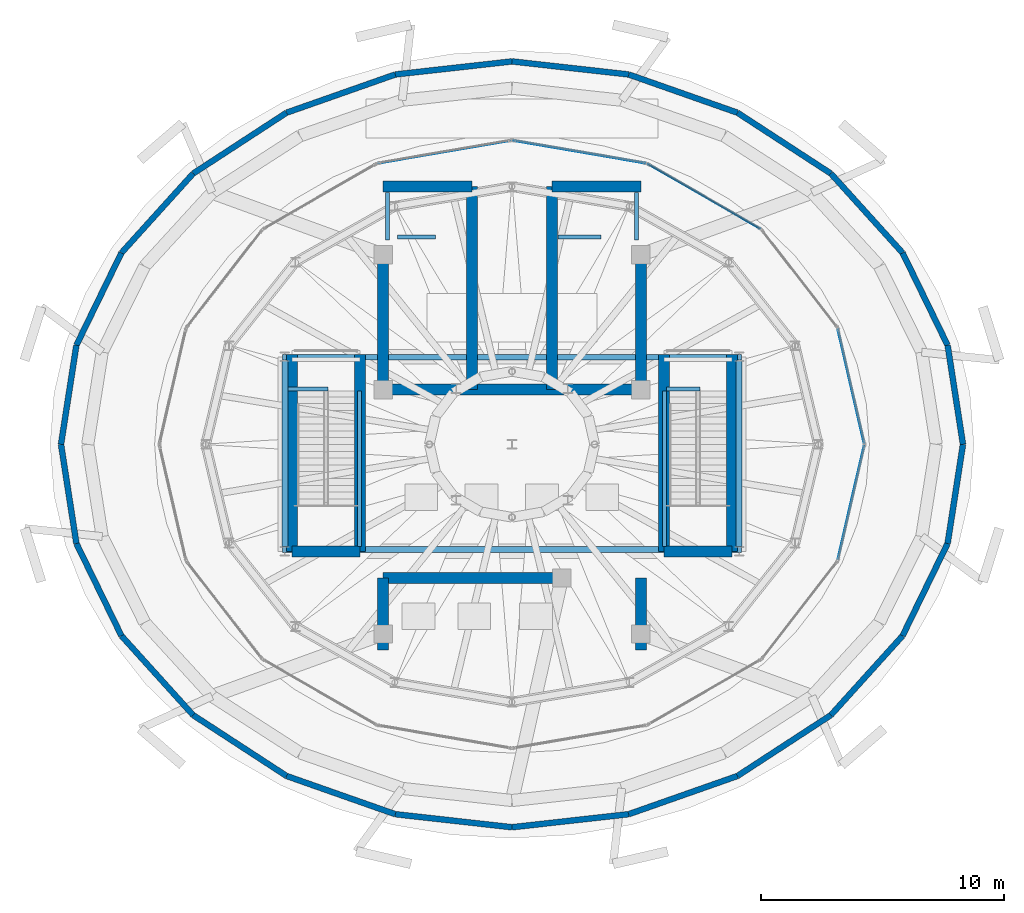
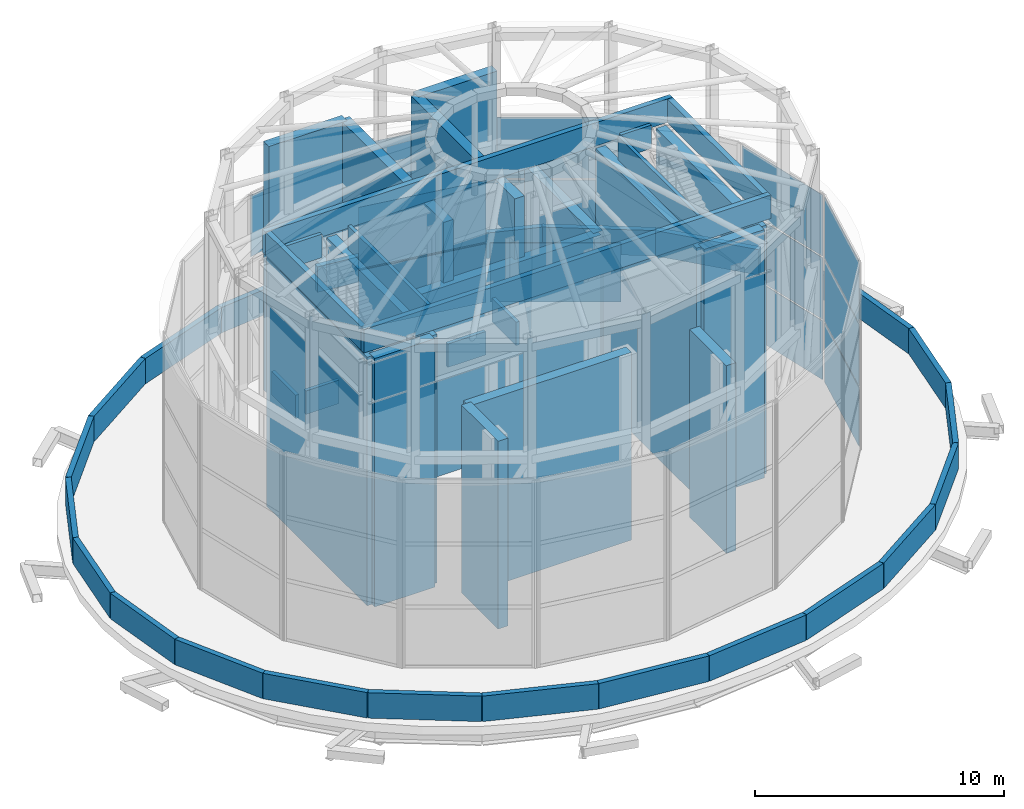
# One storey, part 19 of 22: 52 walls, 13 plates, 5 elements without a shape of their own.
"""IFC4 building model written with IfcOpenShell, lengths in metres."""

from ifc_helpers import new_model, si_unit, direction, frame, frame_2d, origin, origin_2d, place, context, subcontext, project, spatial, rectangle, extrude, material, layer, layer_set, type_object, element, aggregate, save


model = new_model("IFC4")

# Units and contexts
model_context = context("Model", 3, precision=1e-05, world=origin(), true_north=direction((0.0, 1.0)))
body_context = subcontext(model_context, "Body", "Model", "MODEL_VIEW")
ifc_project = project(units=[si_unit("LENGTHUNIT", "METRE"), si_unit("AREAUNIT", "SQUARE_METRE"), si_unit("VOLUMEUNIT", "CUBIC_METRE"), si_unit("PLANEANGLEUNIT", "RADIAN"), si_unit("MASSUNIT", "GRAM", prefix="KILO")], contexts=[model_context])

# Site, building, storey
site_placement = place(None, origin())
site = spatial("IfcSite", under=ifc_project, at=site_placement, CompositionType="ELEMENT")
building_placement = place(site_placement, origin())
building = spatial("IfcBuilding", under=site, at=building_placement, Name="Nuhasar Tower", CompositionType="ELEMENT")
storey_placement = place(building_placement, frame((0.0, 0.0, 313.39990234375)))
storey = spatial("IfcBuildingStorey", under=building, at=storey_placement, Name="Roof Drum", CompositionType="ELEMENT", Elevation=313.39990234375)

# Curtain wall, plates
ifc_material_1 = material(Name="Aluminium 6063-T6", Category="aluminium")
ifc_layer_1 = layer(ifc_material_1, 0.219970703125)
ifc_layer_set_1 = layer_set([ifc_layer_1], Name="Aluminium 6063-T6")
curtain_wall_type = type_object("IfcCurtainWallType", Name="CW-CROWN", PredefinedType="NOTDEFINED", material=ifc_layer_set_1)
curtain_wall_1_placement = place(storey_placement, origin())
curtain_wall_1 = element("IfcCurtainWall", 1, at=curtain_wall_1_placement, inside=storey, type_object=curtain_wall_type, Name="Crown Lantern Curtain Wall 01", PredefinedType="NOTDEFINED")
ifc_material_2 = material(Name="Glass Double Low-E", Category="glass")
ifc_layer_2 = layer(ifc_material_2, 0.028076171875)
ifc_layer_set_2 = layer_set([ifc_layer_2], Name="Glass Double Low-E")
plate_type_1 = type_object("IfcPlateType", Name="CW-PANEL-GLZ", PredefinedType="CURTAIN_PANEL", material=ifc_layer_set_2)
plate_1_placement = place(storey_placement, frame((52.947998046875, 29.19189453125, 3.0400390625), z_axis=(0.0, 0.0, 1.0), x_axis=(-0.2248595067, 0.974391195694, 0.0)))
plate_1 = element("IfcPlate", 2, at=plate_1_placement, type_object=plate_type_1, Name="CW-CR panel 1.2", PredefinedType="CURTAIN_PANEL", context=body_context, shape_type="SweptSolid", body=[
    extrude(rectangle(XDim=4.749755859375, YDim=0.028076171875, at=origin_2d()), origin(), (0.0, 0.0, 1.0), 3.02001953125),
])
plate_2_placement = place(storey_placement, frame((52.947998046875, 29.19189453125, 6.14013671875), z_axis=(0.0, 0.0, 1.0), x_axis=(-0.2248595067, 0.974391195694, 0.0)))
plate_2 = element("IfcPlate", 3, at=plate_2_placement, type_object=plate_type_1, Name="CW-CR panel 1.3", PredefinedType="CURTAIN_PANEL", context=body_context, shape_type="SweptSolid", body=[
    extrude(rectangle(XDim=4.749755859375, YDim=0.028076171875, at=origin_2d()), origin(), (0.0, 0.0, 1.0), 3.0),
])

curtain_wall_2_placement = place(storey_placement, origin())
curtain_wall_2 = element("IfcCurtainWall", 4, at=curtain_wall_2_placement, inside=storey, type_object=curtain_wall_type, Name="Crown Lantern Curtain Wall 03", PredefinedType="NOTDEFINED")
plate_3_placement = place(storey_placement, frame((46.90087890625, 36.993408203125, 3.0400390625), z_axis=(0.0, 0.0, 1.0), x_axis=(-0.866571760085, 0.499052486842, 0.0)))
plate_3 = element("IfcPlate", 5, at=plate_3_placement, type_object=plate_type_1, Name="CW-CR panel 1.2", PredefinedType="CURTAIN_PANEL", context=body_context, shape_type="SweptSolid", body=[
    extrude(rectangle(XDim=5.268310546875, YDim=0.028076171875, at=origin_2d()), origin(), (0.0, 0.0, 1.0), 3.02001953125),
])
plate_4_placement = place(storey_placement, frame((46.90087890625, 36.993408203125, 6.14013671875), z_axis=(0.0, 0.0, 1.0), x_axis=(-0.866571760085, 0.499052486842, 0.0)))
plate_4 = element("IfcPlate", 6, at=plate_4_placement, type_object=plate_type_1, Name="CW-CR panel 1.3", PredefinedType="CURTAIN_PANEL", context=body_context, shape_type="SweptSolid", body=[
    extrude(rectangle(XDim=5.268310546875, YDim=0.028076171875, at=origin_2d()), origin(), (0.0, 0.0, 1.0), 3.0),
])

curtain_wall_3_placement = place(storey_placement, origin())
curtain_wall_3 = element("IfcCurtainWall", 7, at=curtain_wall_3_placement, inside=storey, type_object=curtain_wall_type, Name="Crown Lantern Curtain Wall 04", PredefinedType="NOTDEFINED")
plate_5_placement = place(storey_placement, frame((41.7744140625, 38.823974609375, 3.0400390625), z_axis=(0.0, 0.0, 1.0), x_axis=(-0.985600273164, 0.169091991353, 0.0)))
plate_5 = element("IfcPlate", 8, at=plate_5_placement, type_object=plate_type_1, Name="CW-CR panel 1.2", PredefinedType="CURTAIN_PANEL", context=body_context, shape_type="SweptSolid", body=[
    extrude(rectangle(XDim=5.469970703125, YDim=0.028076171875, at=origin_2d()), origin(), (0.0, 0.0, 1.0), 3.02001953125),
])
plate_6_placement = place(storey_placement, frame((41.7744140625, 38.823974609375, 6.14013671875), z_axis=(0.0, 0.0, 1.0), x_axis=(-0.985600273164, 0.169091991353, 0.0)))
plate_6 = element("IfcPlate", 9, at=plate_6_placement, type_object=plate_type_1, Name="CW-CR panel 1.3", PredefinedType="CURTAIN_PANEL", context=body_context, shape_type="SweptSolid", body=[
    extrude(rectangle(XDim=5.469970703125, YDim=0.028076171875, at=origin_2d()), origin(), (0.0, 0.0, 1.0), 3.0),
])

# Curtain wall, plate
curtain_wall_4_placement = place(storey_placement, origin())
curtain_wall_4 = element("IfcCurtainWall", 10, at=curtain_wall_4_placement, inside=storey, type_object=curtain_wall_type, Name="Crown Lantern Curtain Wall 05", PredefinedType="NOTDEFINED")
plate_7_placement = place(storey_placement, frame((36.2255859375, 38.823974609375, 6.14013671875), z_axis=(0.0, 0.0, 1.0), x_axis=(-0.985600273164, -0.169091991353, 0.0)))
plate_7 = element("IfcPlate", 11, at=plate_7_placement, type_object=plate_type_1, Name="CW-CR panel 1.3", PredefinedType="CURTAIN_PANEL", context=body_context, shape_type="SweptSolid", body=[
    extrude(rectangle(XDim=5.469970703125, YDim=0.028076171875, at=origin_2d()), origin(), (0.0, 0.0, 1.0), 3.0),
])
aggregate(curtain_wall_4, [plate_7])

# Curtain wall, plates
curtain_wall_5_placement = place(storey_placement, origin())
curtain_wall_5 = element("IfcCurtainWall", 12, at=curtain_wall_5_placement, inside=storey, type_object=curtain_wall_type, Name="Crown Lantern Curtain Wall 16", PredefinedType="NOTDEFINED")
plate_8_placement = place(storey_placement, frame((52.947998046875, 24.407958984375, 3.0400390625), z_axis=(0.0, 0.0, 1.0), x_axis=(0.2248595067, 0.974391195694, 0.0)))
plate_8 = element("IfcPlate", 13, at=plate_8_placement, type_object=plate_type_1, Name="CW-CR panel 1.2", PredefinedType="CURTAIN_PANEL", context=body_context, shape_type="SweptSolid", body=[
    extrude(rectangle(XDim=4.749755859375, YDim=0.028076171875, at=origin_2d()), origin(), (0.0, 0.0, 1.0), 3.02001953125),
])
plate_9_placement = place(storey_placement, frame((52.947998046875, 24.407958984375, 6.14013671875), z_axis=(0.0, 0.0, 1.0), x_axis=(0.2248595067, 0.974391195694, 0.0)))
plate_9 = element("IfcPlate", 14, at=plate_9_placement, type_object=plate_type_1, Name="CW-CR panel 1.3", PredefinedType="CURTAIN_PANEL", context=body_context, shape_type="SweptSolid", body=[
    extrude(rectangle(XDim=4.749755859375, YDim=0.028076171875, at=origin_2d()), origin(), (0.0, 0.0, 1.0), 3.0),
])

# Plate
ifc_material_3 = material(Name="Glass Spandrel", Category="glass")
ifc_layer_3 = layer(ifc_material_3, 0.035888671875)
ifc_layer_set_3 = layer_set([ifc_layer_3], Name="Glass Spandrel")
plate_type_2 = type_object("IfcPlateType", Name="CW-PANEL-SPN", PredefinedType="CURTAIN_PANEL", material=ifc_layer_set_3)
plate_10_placement = place(storey_placement, frame((52.947998046875, 29.19189453125, 0.080078125), z_axis=(0.0, 0.0, 1.0), x_axis=(-0.2248595067, 0.974391195694, 0.0)))
plate_10 = element("IfcPlate", 15, at=plate_10_placement, type_object=plate_type_2, Name="CW-CR panel 1.1", PredefinedType="CURTAIN_PANEL", context=body_context, shape_type="SweptSolid", body=[
    extrude(rectangle(XDim=4.749755859375, YDim=0.035888671875, at=origin_2d()), origin(), (0.0, 0.0, 1.0), 2.8798828125),
])

aggregate(curtain_wall_1, [plate_10, plate_1, plate_2])

plate_11_placement = place(storey_placement, frame((46.90087890625, 36.993408203125, 0.080078125), z_axis=(0.0, 0.0, 1.0), x_axis=(-0.866571760085, 0.499052486842, 0.0)))
plate_11 = element("IfcPlate", 16, at=plate_11_placement, type_object=plate_type_2, Name="CW-CR panel 1.1", PredefinedType="CURTAIN_PANEL", context=body_context, shape_type="SweptSolid", body=[
    extrude(rectangle(XDim=5.268310546875, YDim=0.035888671875, at=origin_2d()), origin(), (0.0, 0.0, 1.0), 2.8798828125),
])

aggregate(curtain_wall_2, [plate_11, plate_3, plate_4])

plate_12_placement = place(storey_placement, frame((41.7744140625, 38.823974609375, 0.080078125), z_axis=(0.0, 0.0, 1.0), x_axis=(-0.985600273164, 0.169091991353, 0.0)))
plate_12 = element("IfcPlate", 17, at=plate_12_placement, type_object=plate_type_2, Name="CW-CR panel 1.1", PredefinedType="CURTAIN_PANEL", context=body_context, shape_type="SweptSolid", body=[
    extrude(rectangle(XDim=5.469970703125, YDim=0.035888671875, at=origin_2d()), origin(), (0.0, 0.0, 1.0), 2.8798828125),
])

aggregate(curtain_wall_3, [plate_12, plate_5, plate_6])

plate_13_placement = place(storey_placement, frame((52.947998046875, 24.407958984375, 0.080078125), z_axis=(0.0, 0.0, 1.0), x_axis=(0.2248595067, 0.974391195694, 0.0)))
plate_13 = element("IfcPlate", 18, at=plate_13_placement, type_object=plate_type_2, Name="CW-CR panel 1.1", PredefinedType="CURTAIN_PANEL", context=body_context, shape_type="SweptSolid", body=[
    extrude(rectangle(XDim=4.749755859375, YDim=0.035888671875, at=origin_2d()), origin(), (0.0, 0.0, 1.0), 2.8798828125),
])

aggregate(curtain_wall_5, [plate_13, plate_8, plate_9])

# Walls
ifc_material_4 = material(Name="Concrete C50/60", Category="concrete")
ifc_layer_4 = layer(ifc_material_4, 0.449951171875)
ifc_layer_set_4 = layer_set([ifc_layer_4], Name="Concrete C50/60")
wall_type_1 = type_object("IfcWallType", Name="WL-CORE-450", PredefinedType="SHEAR", material=ifc_layer_set_4)
wall_1_placement = place(storey_placement, frame((33.699951171875, 29.050048828125, 0.0), z_axis=(0.0, 0.0, 1.0), x_axis=(0.0, 1.0, 0.0)))
element("IfcWall", 19, at=wall_1_placement, inside=storey, type_object=wall_type_1, Name="Roof Drum Core Shear Wall CW-NW CW-450", PredefinedType="SHEAR", context=body_context, shape_type="SweptSolid", body=[
    extrude(rectangle(XDim=5.550048828125, YDim=0.449951171875, at=frame_2d((2.77490234375, 0.0))), origin(), (0.0, 0.0, 1.0), 9.22021484375),
])
wall_2_placement = place(storey_placement, frame((33.699951171875, 18.35009765625, 0.0), z_axis=(0.0, 0.0, 1.0), x_axis=(0.0, 1.0, 0.0)))
element("IfcWall", 20, at=wall_2_placement, inside=storey, type_object=wall_type_1, Name="Roof Drum Core Shear Wall CW-SW CW-450", PredefinedType="SHEAR", context=body_context, shape_type="SweptSolid", body=[
    extrude(rectangle(XDim=2.949951171875, YDim=0.449951171875, at=frame_2d((1.47509765625, 0.0))), origin(), (0.0, 0.0, 1.0), 9.22021484375),
])
wall_3_placement = place(storey_placement, frame((44.300048828125, 29.050048828125, 0.0), z_axis=(0.0, 0.0, 1.0), x_axis=(0.0, 1.0, 0.0)))
element("IfcWall", 21, at=wall_3_placement, inside=storey, type_object=wall_type_1, Name="Roof Drum Core Shear Wall CW-NE CW-450", PredefinedType="SHEAR", context=body_context, shape_type="SweptSolid", body=[
    extrude(rectangle(XDim=5.550048828125, YDim=0.449951171875, at=frame_2d((2.77490234375, 0.0))), origin(), (0.0, 0.0, 1.0), 9.22021484375),
])
wall_4_placement = place(storey_placement, frame((44.300048828125, 18.35009765625, 0.0), z_axis=(0.0, 0.0, 1.0), x_axis=(0.0, 1.0, 0.0)))
element("IfcWall", 22, at=wall_4_placement, inside=storey, type_object=wall_type_1, Name="Roof Drum Core Shear Wall CW-SE CW-450", PredefinedType="SHEAR", context=body_context, shape_type="SweptSolid", body=[
    extrude(rectangle(XDim=2.949951171875, YDim=0.449951171875, at=frame_2d((1.47509765625, 0.0))), origin(), (0.0, 0.0, 1.0), 9.22021484375),
])
wall_5_placement = place(storey_placement, frame((33.699951171875, 29.050048828125, 0.0), z_axis=(0.0, 0.0, 1.0), x_axis=(1.0, 0.0, 0.0)))
element("IfcWall", 23, at=wall_5_placement, inside=storey, type_object=wall_type_1, Name="Roof Drum Core Shear Wall CW-N1 CW-450", PredefinedType="SHEAR", context=body_context, shape_type="SweptSolid", body=[
    extrude(rectangle(XDim=10.60009765625, YDim=0.449951171875, at=frame_2d((5.300048828125, 0.0))), origin(), (0.0, 0.0, 1.0), 9.22021484375),
])
wall_6_placement = place(storey_placement, frame((33.699951171875, 21.300048828125, 0.0), z_axis=(0.0, 0.0, 1.0), x_axis=(1.0, 0.0, 0.0)))
element("IfcWall", 24, at=wall_6_placement, inside=storey, type_object=wall_type_1, Name="Roof Drum Core Shear Wall CW-S1 CW-450", PredefinedType="SHEAR", context=body_context, shape_type="SweptSolid", body=[
    extrude(rectangle(XDim=7.550048828125, YDim=0.449951171875, at=frame_2d((3.77490234375, 0.0))), origin(), (0.0, 0.0, 1.0), 9.22021484375),
])
wall_7_placement = place(storey_placement, frame((33.699951171875, 37.39990234375, 0.0), z_axis=(0.0, 0.0, 1.0), x_axis=(1.0, 0.0, 0.0)))
element("IfcWall", 25, at=wall_7_placement, inside=storey, type_object=wall_type_1, Name="Roof Drum Stairwell Shear Wall ST01-N", PredefinedType="SHEAR", context=body_context, shape_type="SweptSolid", body=[
    extrude(rectangle(XDim=3.650146484375, YDim=0.449951171875, at=frame_2d((1.8251953125, 0.0))), origin(), (0.0, 0.0, 1.0), 12.2001953125),
])
for number, where, z_axis, x_axis, name in (
    (26, (37.35009765625, 29.050048828125, 0.0), (0.0, 0.0, 1.0), (0.0, 1.0, 0.0), "Roof Drum Stairwell Shear Wall ST01-E"),
    (27, (40.64990234375, 29.050048828125, 0.0), (0.0, 0.0, 1.0), (0.0, 1.0, 0.0), "Roof Drum Stairwell Shear Wall ST02-W"),
):
    element("IfcWall", number, at=place(storey_placement, frame(where, z_axis=z_axis, x_axis=x_axis)), inside=storey, type_object=wall_type_1, Name=name, PredefinedType="SHEAR", context=body_context, shape_type="SweptSolid", body=[
        extrude(rectangle(XDim=8.349853515625, YDim=0.449951171875, at=frame_2d((4.1748046875, 0.0))), origin(), (0.0, 0.0, 1.0), 12.2001953125),
    ])
wall_8_placement = place(storey_placement, frame((40.64990234375, 37.39990234375, 0.0), z_axis=(0.0, 0.0, 1.0), x_axis=(1.0, 0.0, 0.0)))
element("IfcWall", 28, at=wall_8_placement, inside=storey, type_object=wall_type_1, Name="Roof Drum Stairwell Shear Wall ST02-N", PredefinedType="SHEAR", context=body_context, shape_type="SweptSolid", body=[
    extrude(rectangle(XDim=3.650146484375, YDim=0.449951171875, at=frame_2d((1.8251953125, 0.0))), origin(), (0.0, 0.0, 1.0), 12.2001953125),
])
wall_9_placement = place(storey_placement, frame((29.949951171875, 22.39990234375, 0.0), z_axis=(0.0, 0.0, 1.0), x_axis=(1.0, 0.0, 0.0)))
element("IfcWall", 29, at=wall_9_placement, inside=storey, type_object=wall_type_1, Name="Roof Drum Stairwell Shear Wall ST-CRN-1-S", PredefinedType="SHEAR", context=body_context, shape_type="SweptSolid", body=[
    extrude(rectangle(XDim=2.800048828125, YDim=0.449951171875, at=frame_2d((1.39990234375, 0.0))), origin(), (0.0, 0.0, 1.0), 12.2001953125),
])
for number, where, z_axis, x_axis, name in (
    (30, (29.949951171875, 22.39990234375, 0.0), (0.0, 0.0, 1.0), (0.0, 1.0, 0.0), "Roof Drum Stairwell Shear Wall ST-CRN-1-W"),
    (31, (32.75, 22.39990234375, 0.0), (0.0, 0.0, 1.0), (0.0, 1.0, 0.0), "Roof Drum Stairwell Shear Wall ST-CRN-1-E"),
):
    element("IfcWall", number, at=place(storey_placement, frame(where, z_axis=z_axis, x_axis=x_axis)), inside=storey, type_object=wall_type_1, Name=name, PredefinedType="SHEAR", context=body_context, shape_type="SweptSolid", body=[
        extrude(rectangle(XDim=8.10009765625, YDim=0.449951171875, at=frame_2d((4.050048828125, 0.0))), origin(), (0.0, 0.0, 1.0), 12.2001953125),
    ])
wall_10_placement = place(storey_placement, frame((45.25, 22.39990234375, 0.0), z_axis=(0.0, 0.0, 1.0), x_axis=(1.0, 0.0, 0.0)))
element("IfcWall", 32, at=wall_10_placement, inside=storey, type_object=wall_type_1, Name="Roof Drum Stairwell Shear Wall ST-CRN-2-S", PredefinedType="SHEAR", context=body_context, shape_type="SweptSolid", body=[
    extrude(rectangle(XDim=2.800048828125, YDim=0.449951171875, at=frame_2d((1.39990234375, 0.0))), origin(), (0.0, 0.0, 1.0), 12.2001953125),
])
for number, where, z_axis, x_axis, name in (
    (33, (45.25, 22.39990234375, 0.0), (0.0, 0.0, 1.0), (0.0, 1.0, 0.0), "Roof Drum Stairwell Shear Wall ST-CRN-2-W"),
    (34, (48.050048828125, 22.39990234375, 0.0), (0.0, 0.0, 1.0), (0.0, 1.0, 0.0), "Roof Drum Stairwell Shear Wall ST-CRN-2-E"),
):
    element("IfcWall", number, at=place(storey_placement, frame(where, z_axis=z_axis, x_axis=x_axis)), inside=storey, type_object=wall_type_1, Name=name, PredefinedType="SHEAR", context=body_context, shape_type="SweptSolid", body=[
        extrude(rectangle(XDim=8.10009765625, YDim=0.449951171875, at=frame_2d((4.050048828125, 0.0))), origin(), (0.0, 0.0, 1.0), 12.2001953125),
    ])
ifc_material_5 = material(Name="Gypsum Board", Category="gypsum")
ifc_layer_5 = layer(ifc_material_5, 0.159912109375)
ifc_layer_set_5 = layer_set([ifc_layer_5], Name="Gypsum Board")
wall_type_2 = type_object("IfcWallType", Name="WL-CORR-160", PredefinedType="PARTITIONING", material=ifc_layer_set_5)
wall_11_placement = place(storey_placement, frame((34.300048828125, 35.330078125, 0.0), z_axis=(0.0, 0.0, 1.0), x_axis=(1.0, 0.0, 0.0)))
element("IfcWall", 35, at=wall_11_placement, inside=storey, type_object=wall_type_2, Name="Roof Drum Stair ST-01 North Well Parapet", PredefinedType="PARTITIONING", context=body_context, shape_type="SweptSolid", body=[
    extrude(rectangle(XDim=1.550048828125, YDim=0.159912109375, at=frame_2d((0.77490234375, 0.0))), origin(), (0.0, 0.0, 1.0), 1.150146484375),
])
wall_12_placement = place(storey_placement, frame((33.8798828125, 35.199951171875, 0.0), z_axis=(0.0, 0.0, 1.0), x_axis=(0.0, 1.0, 0.0)))
element("IfcWall", 36, at=wall_12_placement, inside=storey, type_object=wall_type_2, Name="Roof Drum Stair ST-01 West Enclosure Wall", PredefinedType="PARTITIONING", context=body_context, shape_type="SweptSolid", body=[
    extrude(rectangle(XDim=1.949951171875, YDim=0.159912109375, at=frame_2d((0.97509765625, 0.0))), origin(), (0.0, 0.0, 1.0), 1.150146484375),
])
wall_13_placement = place(storey_placement, frame((40.89990234375, 35.330078125, 0.0), z_axis=(0.0, 0.0, 1.0), x_axis=(1.0, 0.0, 0.0)))
element("IfcWall", 37, at=wall_13_placement, inside=storey, type_object=wall_type_2, Name="Roof Drum Stair ST-02 North Well Parapet", PredefinedType="PARTITIONING", context=body_context, shape_type="SweptSolid", body=[
    extrude(rectangle(XDim=1.77001953125, YDim=0.159912109375, at=frame_2d((0.885009765625, 0.0))), origin(), (0.0, 0.0, 1.0), 1.150146484375),
])
wall_14_placement = place(storey_placement, frame((44.1201171875, 35.199951171875, 0.0), z_axis=(0.0, 0.0, 1.0), x_axis=(0.0, 1.0, 0.0)))
element("IfcWall", 38, at=wall_14_placement, inside=storey, type_object=wall_type_2, Name="Roof Drum Stair ST-02 East Enclosure Wall", PredefinedType="PARTITIONING", context=body_context, shape_type="SweptSolid", body=[
    extrude(rectangle(XDim=1.949951171875, YDim=0.159912109375, at=frame_2d((0.97509765625, 0.0))), origin(), (0.0, 0.0, 1.0), 1.150146484375),
])
wall_15_placement = place(storey_placement, frame((32.72998046875, 22.594970703125, 12.5), z_axis=(0.0, 0.0, 1.0), x_axis=(0.0, 1.0, 0.0)))
element("IfcWall", 39, at=wall_15_placement, inside=storey, type_object=wall_type_2, Name="Crown Stair ST-CRN-1 East Well Parapet", PredefinedType="PARTITIONING", context=body_context, shape_type="SweptSolid", body=[
    extrude(rectangle(XDim=6.405029296875, YDim=0.159912109375, at=frame_2d((3.20263671875, 0.0))), origin(), (0.0, 0.0, 1.0), 1.150146484375),
])
wall_16_placement = place(storey_placement, frame((29.794921875, 29.080078125, 12.5), z_axis=(0.0, 0.0, 1.0), x_axis=(1.0, 0.0, 0.0)))
element("IfcWall", 40, at=wall_16_placement, inside=storey, type_object=wall_type_2, Name="Crown Stair ST-CRN-1 North Well Parapet", PredefinedType="PARTITIONING", context=body_context, shape_type="SweptSolid", body=[
    extrude(rectangle(XDim=1.64501953125, YDim=0.159912109375, at=frame_2d((0.822509765625, 0.0))), origin(), (0.0, 0.0, 1.0), 1.150146484375),
])
wall_17_placement = place(storey_placement, frame((45.27001953125, 22.594970703125, 12.5), z_axis=(0.0, 0.0, 1.0), x_axis=(0.0, 1.0, 0.0)))
element("IfcWall", 41, at=wall_17_placement, inside=storey, type_object=wall_type_2, Name="Crown Stair ST-CRN-2 West Well Parapet", PredefinedType="PARTITIONING", context=body_context, shape_type="SweptSolid", body=[
    extrude(rectangle(XDim=6.405029296875, YDim=0.159912109375, at=frame_2d((3.20263671875, 0.0))), origin(), (0.0, 0.0, 1.0), 1.150146484375),
])
wall_18_placement = place(storey_placement, frame((45.35498046875, 29.080078125, 12.5), z_axis=(0.0, 0.0, 1.0), x_axis=(1.0, 0.0, 0.0)))
element("IfcWall", 42, at=wall_18_placement, inside=storey, type_object=wall_type_2, Name="Crown Stair ST-CRN-2 North Well Parapet", PredefinedType="PARTITIONING", context=body_context, shape_type="SweptSolid", body=[
    extrude(rectangle(XDim=1.385009765625, YDim=0.159912109375, at=frame_2d((0.6923828125, 0.0))), origin(), (0.0, 0.0, 1.0), 1.150146484375),
])
ifc_material_6 = material(Name="Concrete C45/55", Category="concrete")
ifc_layer_6 = layer(ifc_material_6, 0.239990234375)
ifc_layer_set_6 = layer_set([ifc_layer_6], Name="Concrete C45/55")
wall_type_3 = type_object("IfcWallType", Name="WL-PARAPET-240", PredefinedType="PARAPET", material=ifc_layer_set_6)
wall_19_placement = place(storey_placement, frame((57.550048828125, 26.800048828125, 0.0), z_axis=(0.0, 0.0, 1.0), x_axis=(-0.153244651512, 0.988188280027, 0.0)))
element("IfcWall", 43, at=wall_19_placement, inside=storey, type_object=wall_type_3, Name="Crown Setback Windscreen Parapet 01", PredefinedType="PARAPET", context=body_context, shape_type="SweptSolid", body=[
    extrude(rectangle(XDim=4.124755859375, YDim=0.239990234375, at=frame_2d((2.0625, 0.0))), origin(), (0.0, 0.0, 1.0), 1.25),
])
wall_20_placement = place(storey_placement, frame((56.91796875, 30.8759765625, 0.0), z_axis=(0.0, 0.0, 1.0), x_axis=(-0.438389492658, 0.898785098189, 0.0)))
element("IfcWall", 44, at=wall_20_placement, inside=storey, type_object=wall_type_3, Name="Crown Setback Windscreen Parapet 02", PredefinedType="PARAPET", context=body_context, shape_type="SweptSolid", body=[
    extrude(rectangle(XDim=4.226806640625, YDim=0.239990234375, at=frame_2d((2.11328125, 0.0))), origin(), (0.0, 0.0, 1.0), 1.25),
])
wall_21_placement = place(storey_placement, frame((55.06494140625, 34.675048828125, 0.0), z_axis=(0.0, 0.0, 1.0), x_axis=(-0.67050029122, 0.741909266335, 0.0)))
element("IfcWall", 45, at=wall_21_placement, inside=storey, type_object=wall_type_3, Name="Crown Setback Windscreen Parapet 03", PredefinedType="PARAPET", context=body_context, shape_type="SweptSolid", body=[
    extrude(rectangle(XDim=4.396728515625, YDim=0.239990234375, at=frame_2d((2.1982421875, 0.0))), origin(), (0.0, 0.0, 1.0), 1.25),
])
wall_22_placement = place(storey_placement, frame((52.116943359375, 37.93701171875, 0.0), z_axis=(0.0, 0.0, 1.0), x_axis=(-0.837884826744, 0.545847063848, 0.0)))
element("IfcWall", 46, at=wall_22_placement, inside=storey, type_object=wall_type_3, Name="Crown Setback Windscreen Parapet 04", PredefinedType="PARAPET", context=body_context, shape_type="SweptSolid", body=[
    extrude(rectangle(XDim=4.58544921875, YDim=0.239990234375, at=frame_2d((2.292724609375, 0.0))), origin(), (0.0, 0.0, 1.0), 1.25),
])
wall_23_placement = place(storey_placement, frame((48.27490234375, 40.43994140625, 0.0), z_axis=(0.0, 0.0, 1.0), x_axis=(-0.943387883293, 0.331691576101, 0.0)))
element("IfcWall", 47, at=wall_23_placement, inside=storey, type_object=wall_type_3, Name="Crown Setback Windscreen Parapet 05", PredefinedType="PARAPET", context=body_context, shape_type="SweptSolid", body=[
    extrude(rectangle(XDim=4.742431640625, YDim=0.239990234375, at=frame_2d((2.37109375, 0.0))), origin(), (0.0, 0.0, 1.0), 1.25),
])
for number, where, z_axis, x_axis, name in (
    (48, (43.801025390625, 42.012939453125, 0.0), (0.0, 0.0, 1.0), (-0.993800252262, 0.111180297736, 0.0), "Crown Setback Windscreen Parapet 06"),
    (49, (39.0, 42.550048828125, 0.0), (0.0, 0.0, 1.0), (-0.993800252262, -0.111180297736, 0.0), "Crown Setback Windscreen Parapet 07"),
):
    element("IfcWall", number, at=place(storey_placement, frame(where, z_axis=z_axis, x_axis=x_axis)), inside=storey, type_object=wall_type_3, Name=name, PredefinedType="PARAPET", context=body_context, shape_type="SweptSolid", body=[
        extrude(rectangle(XDim=4.8310546875, YDim=0.239990234375, at=frame_2d((2.41552734375, 0.0))), origin(), (0.0, 0.0, 1.0), 1.25),
    ])
wall_24_placement = place(storey_placement, frame((34.198974609375, 42.012939453125, 0.0), z_axis=(0.0, 0.0, 1.0), x_axis=(-0.943387883293, -0.331691576101, 0.0)))
element("IfcWall", 50, at=wall_24_placement, inside=storey, type_object=wall_type_3, Name="Crown Setback Windscreen Parapet 08", PredefinedType="PARAPET", context=body_context, shape_type="SweptSolid", body=[
    extrude(rectangle(XDim=4.742431640625, YDim=0.239990234375, at=frame_2d((2.37109375, 0.0))), origin(), (0.0, 0.0, 1.0), 1.25),
])
wall_25_placement = place(storey_placement, frame((29.72509765625, 40.43994140625, 0.0), z_axis=(0.0, 0.0, 1.0), x_axis=(-0.837884826744, -0.545847063848, 0.0)))
element("IfcWall", 51, at=wall_25_placement, inside=storey, type_object=wall_type_3, Name="Crown Setback Windscreen Parapet 09", PredefinedType="PARAPET", context=body_context, shape_type="SweptSolid", body=[
    extrude(rectangle(XDim=4.58544921875, YDim=0.239990234375, at=frame_2d((2.292724609375, 0.0))), origin(), (0.0, 0.0, 1.0), 1.25),
])
wall_26_placement = place(storey_placement, frame((25.883056640625, 37.93701171875, 0.0), z_axis=(0.0, 0.0, 1.0), x_axis=(-0.67050029122, -0.741909266335, 0.0)))
element("IfcWall", 52, at=wall_26_placement, inside=storey, type_object=wall_type_3, Name="Crown Setback Windscreen Parapet 10", PredefinedType="PARAPET", context=body_context, shape_type="SweptSolid", body=[
    extrude(rectangle(XDim=4.396728515625, YDim=0.239990234375, at=frame_2d((2.1982421875, 0.0))), origin(), (0.0, 0.0, 1.0), 1.25),
])
wall_27_placement = place(storey_placement, frame((22.93505859375, 34.675048828125, 0.0), z_axis=(0.0, 0.0, 1.0), x_axis=(-0.438389492658, -0.898785098189, 0.0)))
element("IfcWall", 53, at=wall_27_placement, inside=storey, type_object=wall_type_3, Name="Crown Setback Windscreen Parapet 11", PredefinedType="PARAPET", context=body_context, shape_type="SweptSolid", body=[
    extrude(rectangle(XDim=4.226806640625, YDim=0.239990234375, at=frame_2d((2.11328125, 0.0))), origin(), (0.0, 0.0, 1.0), 1.25),
])
for number, where, z_axis, x_axis, name in (
    (54, (21.08203125, 30.8759765625, 0.0), (0.0, 0.0, 1.0), (-0.153244651512, -0.988188280027, 0.0), "Crown Setback Windscreen Parapet 12"),
    (55, (20.449951171875, 26.800048828125, 0.0), (0.0, 0.0, 1.0), (0.153244651512, -0.988188280027, 0.0), "Crown Setback Windscreen Parapet 13"),
):
    element("IfcWall", number, at=place(storey_placement, frame(where, z_axis=z_axis, x_axis=x_axis)), inside=storey, type_object=wall_type_3, Name=name, PredefinedType="PARAPET", context=body_context, shape_type="SweptSolid", body=[
        extrude(rectangle(XDim=4.124755859375, YDim=0.239990234375, at=frame_2d((2.0625, 0.0))), origin(), (0.0, 0.0, 1.0), 1.25),
    ])
wall_28_placement = place(storey_placement, frame((21.08203125, 22.72412109375, 0.0), z_axis=(0.0, 0.0, 1.0), x_axis=(0.438389492658, -0.898785098189, 0.0)))
element("IfcWall", 56, at=wall_28_placement, inside=storey, type_object=wall_type_3, Name="Crown Setback Windscreen Parapet 14", PredefinedType="PARAPET", context=body_context, shape_type="SweptSolid", body=[
    extrude(rectangle(XDim=4.226806640625, YDim=0.239990234375, at=frame_2d((2.11328125, 0.0))), origin(), (0.0, 0.0, 1.0), 1.25),
])
wall_29_placement = place(storey_placement, frame((22.93505859375, 18.925048828125, 0.0), z_axis=(0.0, 0.0, 1.0), x_axis=(0.67050029122, -0.741909266335, 0.0)))
element("IfcWall", 57, at=wall_29_placement, inside=storey, type_object=wall_type_3, Name="Crown Setback Windscreen Parapet 15", PredefinedType="PARAPET", context=body_context, shape_type="SweptSolid", body=[
    extrude(rectangle(XDim=4.396728515625, YDim=0.239990234375, at=frame_2d((2.1982421875, 0.0))), origin(), (0.0, 0.0, 1.0), 1.25),
])
wall_30_placement = place(storey_placement, frame((25.883056640625, 15.6630859375, 0.0), z_axis=(0.0, 0.0, 1.0), x_axis=(0.837860475569, -0.545884441508, 0.0)))
element("IfcWall", 58, at=wall_30_placement, inside=storey, type_object=wall_type_3, Name="Crown Setback Windscreen Parapet 16", PredefinedType="PARAPET", context=body_context, shape_type="SweptSolid", body=[
    extrude(rectangle(XDim=4.58544921875, YDim=0.239990234375, at=frame_2d((2.292724609375, 0.0))), origin(), (0.0, 0.0, 1.0), 1.25),
])
wall_31_placement = place(storey_placement, frame((29.72509765625, 13.159912109375, 0.0), z_axis=(0.0, 0.0, 1.0), x_axis=(0.943387883293, -0.331691576101, 0.0)))
element("IfcWall", 59, at=wall_31_placement, inside=storey, type_object=wall_type_3, Name="Crown Setback Windscreen Parapet 17", PredefinedType="PARAPET", context=body_context, shape_type="SweptSolid", body=[
    extrude(rectangle(XDim=4.742431640625, YDim=0.239990234375, at=frame_2d((2.37109375, 0.0))), origin(), (0.0, 0.0, 1.0), 1.25),
])
for number, where, z_axis, x_axis, name in (
    (60, (34.198974609375, 11.5869140625, 0.0), (0.0, 0.0, 1.0), (0.993805834868, -0.111130385501, 0.0), "Crown Setback Windscreen Parapet 18"),
    (61, (39.0, 11.050048828125, 0.0), (0.0, 0.0, 1.0), (0.993805834868, 0.111130385501, 0.0), "Crown Setback Windscreen Parapet 19"),
):
    element("IfcWall", number, at=place(storey_placement, frame(where, z_axis=z_axis, x_axis=x_axis)), inside=storey, type_object=wall_type_3, Name=name, PredefinedType="PARAPET", context=body_context, shape_type="SweptSolid", body=[
        extrude(rectangle(XDim=4.8310546875, YDim=0.239990234375, at=frame_2d((2.41552734375, 0.0))), origin(), (0.0, 0.0, 1.0), 1.25),
    ])
wall_32_placement = place(storey_placement, frame((43.801025390625, 11.5869140625, 0.0), z_axis=(0.0, 0.0, 1.0), x_axis=(0.943387883293, 0.331691576101, 0.0)))
element("IfcWall", 62, at=wall_32_placement, inside=storey, type_object=wall_type_3, Name="Crown Setback Windscreen Parapet 20", PredefinedType="PARAPET", context=body_context, shape_type="SweptSolid", body=[
    extrude(rectangle(XDim=4.742431640625, YDim=0.239990234375, at=frame_2d((2.37109375, 0.0))), origin(), (0.0, 0.0, 1.0), 1.25),
])
wall_33_placement = place(storey_placement, frame((48.27490234375, 13.159912109375, 0.0), z_axis=(0.0, 0.0, 1.0), x_axis=(0.837860475569, 0.545884441508, 0.0)))
element("IfcWall", 63, at=wall_33_placement, inside=storey, type_object=wall_type_3, Name="Crown Setback Windscreen Parapet 21", PredefinedType="PARAPET", context=body_context, shape_type="SweptSolid", body=[
    extrude(rectangle(XDim=4.58544921875, YDim=0.239990234375, at=frame_2d((2.292724609375, 0.0))), origin(), (0.0, 0.0, 1.0), 1.25),
])
wall_34_placement = place(storey_placement, frame((52.116943359375, 15.6630859375, 0.0), z_axis=(0.0, 0.0, 1.0), x_axis=(0.67050029122, 0.741909266335, 0.0)))
element("IfcWall", 64, at=wall_34_placement, inside=storey, type_object=wall_type_3, Name="Crown Setback Windscreen Parapet 22", PredefinedType="PARAPET", context=body_context, shape_type="SweptSolid", body=[
    extrude(rectangle(XDim=4.396728515625, YDim=0.239990234375, at=frame_2d((2.1982421875, 0.0))), origin(), (0.0, 0.0, 1.0), 1.25),
])
wall_35_placement = place(storey_placement, frame((55.06494140625, 18.925048828125, 0.0), z_axis=(0.0, 0.0, 1.0), x_axis=(0.438389492658, 0.898785098189, 0.0)))
element("IfcWall", 65, at=wall_35_placement, inside=storey, type_object=wall_type_3, Name="Crown Setback Windscreen Parapet 23", PredefinedType="PARAPET", context=body_context, shape_type="SweptSolid", body=[
    extrude(rectangle(XDim=4.226806640625, YDim=0.239990234375, at=frame_2d((2.11328125, 0.0))), origin(), (0.0, 0.0, 1.0), 1.25),
])
wall_36_placement = place(storey_placement, frame((56.91796875, 22.72412109375, 0.0), z_axis=(0.0, 0.0, 1.0), x_axis=(0.153244651512, 0.988188280027, 0.0)))
element("IfcWall", 66, at=wall_36_placement, inside=storey, type_object=wall_type_3, Name="Crown Setback Windscreen Parapet 24", PredefinedType="PARAPET", context=body_context, shape_type="SweptSolid", body=[
    extrude(rectangle(XDim=4.124755859375, YDim=0.239990234375, at=frame_2d((2.0625, 0.0))), origin(), (0.0, 0.0, 1.0), 1.25),
])
for number, where, z_axis, x_axis, name in (
    (67, (29.550048828125, 30.3798828125, 12.5), (0.0, 0.0, 1.0), (1.0, 0.0, 0.0), "Crown Apex Plinth North Parapet"),
    (68, (29.550048828125, 22.469970703125, 12.5), (0.0, 0.0, 1.0), (1.0, 0.0, 0.0), "Crown Apex Plinth South Parapet"),
):
    element("IfcWall", number, at=place(storey_placement, frame(where, z_axis=z_axis, x_axis=x_axis)), inside=storey, type_object=wall_type_3, Name=name, PredefinedType="PARAPET", context=body_context, shape_type="SweptSolid", body=[
        extrude(rectangle(XDim=18.89990234375, YDim=0.239990234375, at=frame_2d((9.449951171875, 0.0))), origin(), (0.0, 0.0, 1.0), 1.150146484375),
    ])
for number, where, z_axis, x_axis, name in (
    (69, (29.669921875, 22.594970703125, 12.5), (0.0, 0.0, 1.0), (0.0, 1.0, 0.0), "Crown Apex Plinth West Parapet"),
    (70, (48.330078125, 22.594970703125, 12.5), (0.0, 0.0, 1.0), (0.0, 1.0, 0.0), "Crown Apex Plinth East Parapet"),
):
    element("IfcWall", number, at=place(storey_placement, frame(where, z_axis=z_axis, x_axis=x_axis)), inside=storey, type_object=wall_type_3, Name=name, PredefinedType="PARAPET", context=body_context, shape_type="SweptSolid", body=[
        extrude(rectangle(XDim=7.659912109375, YDim=0.239990234375, at=frame_2d((3.830078125, 0.0))), origin(), (0.0, 0.0, 1.0), 1.150146484375),
    ])

save(model, "model.ifc")
